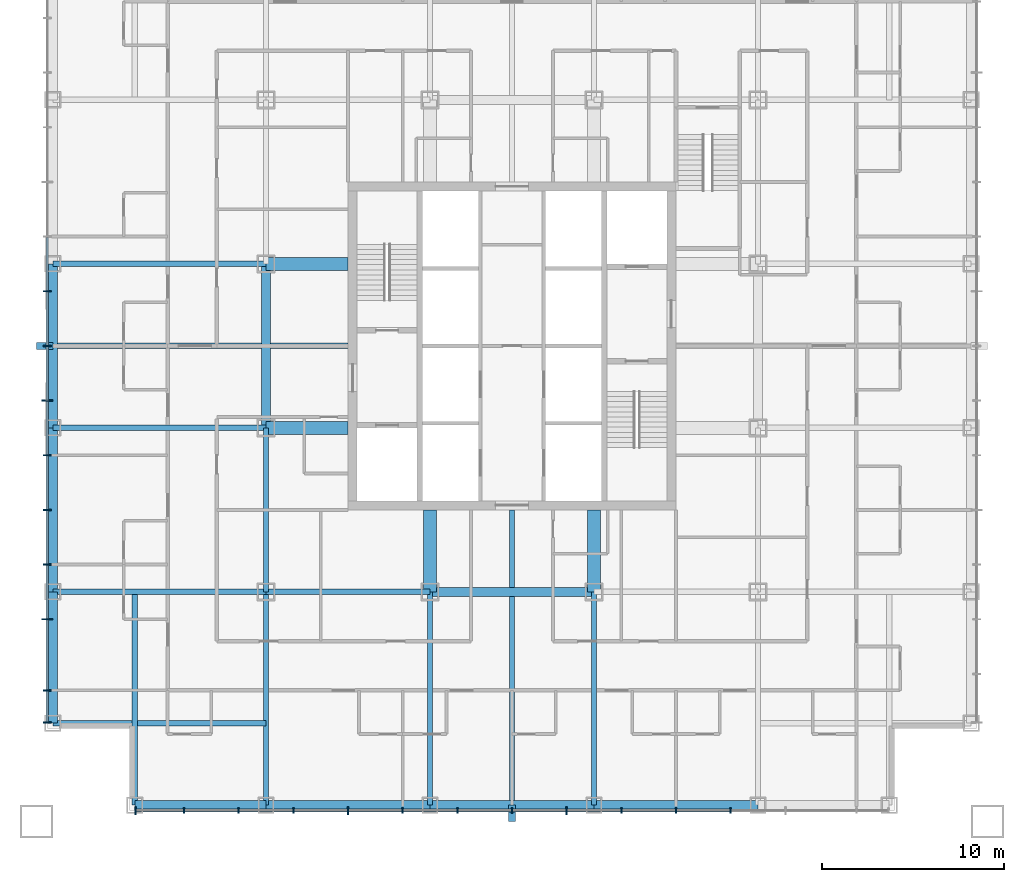
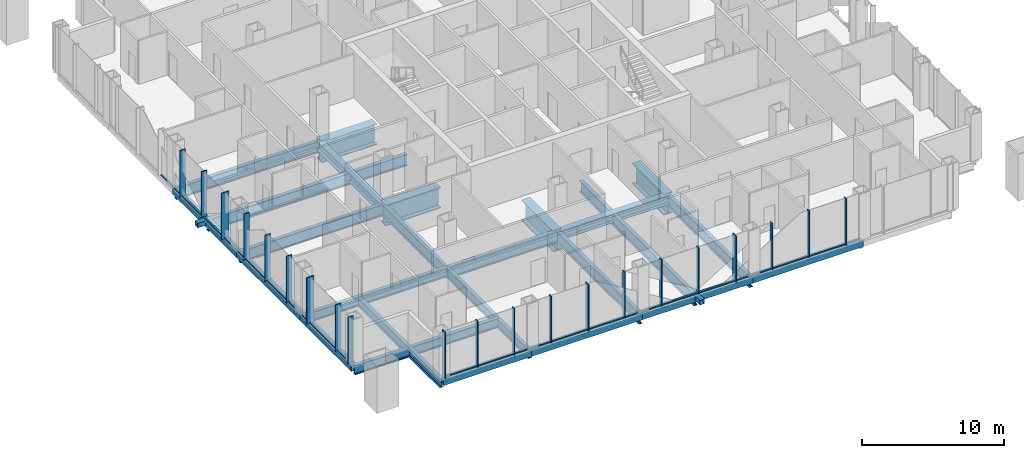
# One storey, part 2 of 13: 43 members, 25 beams, 2 elements without a shape of their own.
"""IFC4 building model written with IfcOpenShell, lengths in metres."""

from ifc_helpers import new_model, si_unit, direction, frame, origin, origin_2d, place, context, subcontext, project, spatial, rectangle, hollow_rectangle, i_section, extrude, material, layer, layer_set, material_profile, profile_set, type_object, element, aggregate, save


model = new_model("IFC4")

# Units and contexts
model_context = context("Model", 3, precision=1e-05, world=origin(), true_north=direction((0.0, 1.0)))
body_context = subcontext(model_context, "Body", "Model", "MODEL_VIEW")
ifc_project = project(units=[si_unit("LENGTHUNIT", "METRE"), si_unit("AREAUNIT", "SQUARE_METRE"), si_unit("VOLUMEUNIT", "CUBIC_METRE"), si_unit("PLANEANGLEUNIT", "RADIAN"), si_unit("MASSUNIT", "GRAM", prefix="KILO")], contexts=[model_context])

# Site, building, storey
site_placement = place(None, origin())
site = spatial("IfcSite", under=ifc_project, at=site_placement, CompositionType="ELEMENT")
building_placement = place(site_placement, origin())
building = spatial("IfcBuilding", under=site, at=building_placement, Name="Malebo Sky Hospital", CompositionType="ELEMENT")
storey_placement = place(building_placement, frame((0.0, 0.0, 79.0)))
storey = spatial("IfcBuildingStorey", under=building, at=storey_placement, Name="L18", CompositionType="ELEMENT", Elevation=79.0)

# Curtain wall, members
ifc_material_1 = material(Name="Anodised aluminium, natural silver", Category="aluminium")
ifc_layer_1 = layer(ifc_material_1, 0.25)
ifc_layer_set_1 = layer_set([ifc_layer_1], Name="WARD CURTAIN WALL EAST AND WEST")
curtain_wall_type_1 = type_object("IfcCurtainWallType", Name="WARD CURTAIN WALL EAST AND WEST", PredefinedType="NOTDEFINED", material=ifc_layer_set_1)
curtain_wall_1_placement = place(storey_placement, origin())
curtain_wall_1 = element("IfcCurtainWall", 1, at=curtain_wall_1_placement, inside=storey, type_object=curtain_wall_type_1, Name="EW curtain wall W", PredefinedType="NOTDEFINED")
ifc_material_profile_1 = material_profile(ifc_material_1, rectangle(XDim=0.14990234375, YDim=0.10009765625, at=origin_2d()), Name="ALUMINIUM TRANSOM 150x100")
ifc_profile_set_1 = profile_set([ifc_material_profile_1], Name="Anodised aluminium, natural silver")
member_type_1 = type_object("IfcMemberType", Name="ALUMINIUM TRANSOM 150x100", PredefinedType="USERDEFINED", material=ifc_profile_set_1)
member_1_placement = place(storey_placement, frame((34.5, 41.375, 0.050048828125), z_axis=(0.0, 1.0, 0.0), x_axis=(-1.0, 0.0, 0.0)))
member_1 = element("IfcMember", 2, at=member_1_placement, type_object=member_type_1, Name="Transom 1", ObjectType="TRANSOM", PredefinedType="USERDEFINED", context=body_context, shape_type="SweptSolid", body=[
    extrude(rectangle(XDim=0.14990234375, YDim=0.10009765625, at=origin_2d()), origin(), (0.0, 0.0, 1.0), 1.6875),
])
member_2_placement = place(storey_placement, frame((34.5, 43.137451171875, 0.050048828125), z_axis=(0.0, 1.0, 0.0), x_axis=(-1.0, 0.0, 0.0)))
member_2 = element("IfcMember", 3, at=member_2_placement, type_object=member_type_1, Name="Transom 2", ObjectType="TRANSOM", PredefinedType="USERDEFINED", context=body_context, shape_type="SweptSolid", body=[
    extrude(rectangle(XDim=0.14990234375, YDim=0.10009765625, at=origin_2d()), origin(), (0.0, 0.0, 1.0), 3.824951171875),
])
member_3_placement = place(storey_placement, frame((34.5, 47.03759765625, 0.050048828125), z_axis=(0.0, 1.0, 0.0), x_axis=(-1.0, 0.0, 0.0)))
member_3 = element("IfcMember", 4, at=member_3_placement, type_object=member_type_1, Name="Transom 3", ObjectType="TRANSOM", PredefinedType="USERDEFINED", context=body_context, shape_type="SweptSolid", body=[
    extrude(rectangle(XDim=0.14990234375, YDim=0.10009765625, at=origin_2d()), origin(), (0.0, 0.0, 1.0), 2.9248046875),
])
member_4_placement = place(storey_placement, frame((34.5, 50.03759765625, 0.050048828125), z_axis=(0.0, 1.0, 0.0), x_axis=(-1.0, 0.0, 0.0)))
member_4 = element("IfcMember", 5, at=member_4_placement, type_object=member_type_1, Name="Transom 4", ObjectType="TRANSOM", PredefinedType="USERDEFINED", context=body_context, shape_type="SweptSolid", body=[
    extrude(rectangle(XDim=0.14990234375, YDim=0.10009765625, at=origin_2d()), origin(), (0.0, 0.0, 1.0), 2.9248046875),
])
member_5_placement = place(storey_placement, frame((34.5, 53.03759765625, 0.050048828125), z_axis=(0.0, 1.0, 0.0), x_axis=(-1.0, 0.0, 0.0)))
member_5 = element("IfcMember", 6, at=member_5_placement, type_object=member_type_1, Name="Transom 5", ObjectType="TRANSOM", PredefinedType="USERDEFINED", context=body_context, shape_type="SweptSolid", body=[
    extrude(rectangle(XDim=0.14990234375, YDim=0.10009765625, at=origin_2d()), origin(), (0.0, 0.0, 1.0), 2.9248046875),
])
member_6_placement = place(storey_placement, frame((34.5, 56.03759765625, 0.050048828125), z_axis=(0.0, 1.0, 0.0), x_axis=(-1.0, 0.0, 0.0)))
member_6 = element("IfcMember", 7, at=member_6_placement, type_object=member_type_1, Name="Transom 6", ObjectType="TRANSOM", PredefinedType="USERDEFINED", context=body_context, shape_type="SweptSolid", body=[
    extrude(rectangle(XDim=0.14990234375, YDim=0.10009765625, at=origin_2d()), origin(), (0.0, 0.0, 1.0), 2.9248046875),
])
member_7_placement = place(storey_placement, frame((34.5, 59.03759765625, 0.050048828125), z_axis=(0.0, 1.0, 0.0), x_axis=(-1.0, 0.0, 0.0)))
member_7 = element("IfcMember", 8, at=member_7_placement, type_object=member_type_1, Name="Transom 7", ObjectType="TRANSOM", PredefinedType="USERDEFINED", context=body_context, shape_type="SweptSolid", body=[
    extrude(rectangle(XDim=0.14990234375, YDim=0.10009765625, at=origin_2d()), origin(), (0.0, 0.0, 1.0), 2.9248046875),
])
member_8_placement = place(storey_placement, frame((34.5, 62.03759765625, 0.050048828125), z_axis=(0.0, 1.0, 0.0), x_axis=(-1.0, 0.0, 0.0)))
member_8 = element("IfcMember", 9, at=member_8_placement, type_object=member_type_1, Name="Transom 8", ObjectType="TRANSOM", PredefinedType="USERDEFINED", context=body_context, shape_type="SweptSolid", body=[
    extrude(rectangle(XDim=0.14990234375, YDim=0.10009765625, at=origin_2d()), origin(), (0.0, 0.0, 1.0), 2.9248046875),
])
member_9_placement = place(storey_placement, frame((34.5, 65.03759765625, 0.050048828125), z_axis=(0.0, 1.0, 0.0), x_axis=(-1.0, 0.0, 0.0)))
member_9 = element("IfcMember", 10, at=member_9_placement, type_object=member_type_1, Name="Transom 9", ObjectType="TRANSOM", PredefinedType="USERDEFINED", context=body_context, shape_type="SweptSolid", body=[
    extrude(rectangle(XDim=0.14990234375, YDim=0.10009765625, at=origin_2d()), origin(), (0.0, 0.0, 1.0), 2.9248046875),
])

ifc_layer_2 = layer(ifc_material_1, 0.25)
ifc_layer_set_2 = layer_set([ifc_layer_2], Name="WARD CURTAIN WALL NORTH AND SOUTH")
curtain_wall_type_2 = type_object("IfcCurtainWallType", Name="WARD CURTAIN WALL NORTH AND SOUTH", PredefinedType="NOTDEFINED", material=ifc_layer_set_2)
curtain_wall_2_placement = place(storey_placement, origin())
curtain_wall_2 = element("IfcCurtainWall", 11, at=curtain_wall_2_placement, inside=storey, type_object=curtain_wall_type_2, Name="NS curtain wall S", PredefinedType="NOTDEFINED")
member_10_placement = place(storey_placement, frame((71.96240234375, 36.5, 0.050048828125), z_axis=(-1.0, 0.0, 0.0), x_axis=(0.0, -1.0, 0.0)))
member_10 = element("IfcMember", 12, at=member_10_placement, type_object=member_type_1, Name="Transom 4", ObjectType="TRANSOM", PredefinedType="USERDEFINED", context=body_context, shape_type="SweptSolid", body=[
    extrude(rectangle(XDim=0.14990234375, YDim=0.10009765625, at=origin_2d()), origin(), (0.0, 0.0, 1.0), 2.9248046875),
])
member_11_placement = place(storey_placement, frame((68.96240234375, 36.5, 0.050048828125), z_axis=(-1.0, 0.0, 0.0), x_axis=(0.0, -1.0, 0.0)))
member_11 = element("IfcMember", 13, at=member_11_placement, type_object=member_type_1, Name="Transom 5", ObjectType="TRANSOM", PredefinedType="USERDEFINED", context=body_context, shape_type="SweptSolid", body=[
    extrude(rectangle(XDim=0.14990234375, YDim=0.10009765625, at=origin_2d()), origin(), (0.0, 0.0, 1.0), 2.9248046875),
])
member_12_placement = place(storey_placement, frame((65.96240234375, 36.5, 0.050048828125), z_axis=(-1.0, 0.0, 0.0), x_axis=(0.0, -1.0, 0.0)))
member_12 = element("IfcMember", 14, at=member_12_placement, type_object=member_type_1, Name="Transom 6", ObjectType="TRANSOM", PredefinedType="USERDEFINED", context=body_context, shape_type="SweptSolid", body=[
    extrude(rectangle(XDim=0.14990234375, YDim=0.10009765625, at=origin_2d()), origin(), (0.0, 0.0, 1.0), 2.9248046875),
])
member_13_placement = place(storey_placement, frame((62.96240234375, 36.5, 0.050048828125), z_axis=(-1.0, 0.0, 0.0), x_axis=(0.0, -1.0, 0.0)))
member_13 = element("IfcMember", 15, at=member_13_placement, type_object=member_type_1, Name="Transom 7", ObjectType="TRANSOM", PredefinedType="USERDEFINED", context=body_context, shape_type="SweptSolid", body=[
    extrude(rectangle(XDim=0.14990234375, YDim=0.10009765625, at=origin_2d()), origin(), (0.0, 0.0, 1.0), 2.9248046875),
])
member_14_placement = place(storey_placement, frame((59.96240234375, 36.5, 0.050048828125), z_axis=(-1.0, 0.0, 0.0), x_axis=(0.0, -1.0, 0.0)))
member_14 = element("IfcMember", 16, at=member_14_placement, type_object=member_type_1, Name="Transom 8", ObjectType="TRANSOM", PredefinedType="USERDEFINED", context=body_context, shape_type="SweptSolid", body=[
    extrude(rectangle(XDim=0.14990234375, YDim=0.10009765625, at=origin_2d()), origin(), (0.0, 0.0, 1.0), 2.9248046875),
])
member_15_placement = place(storey_placement, frame((56.96240234375, 36.5, 0.050048828125), z_axis=(-1.0, 0.0, 0.0), x_axis=(0.0, -1.0, 0.0)))
member_15 = element("IfcMember", 17, at=member_15_placement, type_object=member_type_1, Name="Transom 9", ObjectType="TRANSOM", PredefinedType="USERDEFINED", context=body_context, shape_type="SweptSolid", body=[
    extrude(rectangle(XDim=0.14990234375, YDim=0.10009765625, at=origin_2d()), origin(), (0.0, 0.0, 1.0), 2.9248046875),
])
member_16_placement = place(storey_placement, frame((53.96240234375, 36.5, 0.050048828125), z_axis=(-1.0, 0.0, 0.0), x_axis=(0.0, -1.0, 0.0)))
member_16 = element("IfcMember", 18, at=member_16_placement, type_object=member_type_1, Name="Transom 10", ObjectType="TRANSOM", PredefinedType="USERDEFINED", context=body_context, shape_type="SweptSolid", body=[
    extrude(rectangle(XDim=0.14990234375, YDim=0.10009765625, at=origin_2d()), origin(), (0.0, 0.0, 1.0), 2.9248046875),
])
member_17_placement = place(storey_placement, frame((50.96240234375, 36.5, 0.050048828125), z_axis=(-1.0, 0.0, 0.0), x_axis=(0.0, -1.0, 0.0)))
member_17 = element("IfcMember", 19, at=member_17_placement, type_object=member_type_1, Name="Transom 11", ObjectType="TRANSOM", PredefinedType="USERDEFINED", context=body_context, shape_type="SweptSolid", body=[
    extrude(rectangle(XDim=0.14990234375, YDim=0.10009765625, at=origin_2d()), origin(), (0.0, 0.0, 1.0), 2.9248046875),
])
member_18_placement = place(storey_placement, frame((47.96240234375, 36.5, 0.050048828125), z_axis=(-1.0, 0.0, 0.0), x_axis=(0.0, -1.0, 0.0)))
member_18 = element("IfcMember", 20, at=member_18_placement, type_object=member_type_1, Name="Transom 12", ObjectType="TRANSOM", PredefinedType="USERDEFINED", context=body_context, shape_type="SweptSolid", body=[
    extrude(rectangle(XDim=0.14990234375, YDim=0.10009765625, at=origin_2d()), origin(), (0.0, 0.0, 1.0), 2.9248046875),
])
member_19_placement = place(storey_placement, frame((44.96240234375, 36.5, 0.050048828125), z_axis=(-1.0, 0.0, 0.0), x_axis=(0.0, -1.0, 0.0)))
member_19 = element("IfcMember", 21, at=member_19_placement, type_object=member_type_1, Name="Transom 13", ObjectType="TRANSOM", PredefinedType="USERDEFINED", context=body_context, shape_type="SweptSolid", body=[
    extrude(rectangle(XDim=0.14990234375, YDim=0.10009765625, at=origin_2d()), origin(), (0.0, 0.0, 1.0), 2.9248046875),
])
member_20_placement = place(storey_placement, frame((41.96240234375, 36.5, 0.050048828125), z_axis=(-1.0, 0.0, 0.0), x_axis=(0.0, -1.0, 0.0)))
member_20 = element("IfcMember", 22, at=member_20_placement, type_object=member_type_1, Name="Transom 14", ObjectType="TRANSOM", PredefinedType="USERDEFINED", context=body_context, shape_type="SweptSolid", body=[
    extrude(rectangle(XDim=0.14990234375, YDim=0.10009765625, at=origin_2d()), origin(), (0.0, 0.0, 1.0), 2.58740234375),
])

# Members
ifc_material_2 = material(Name="Steel S355", Category="steel")
ifc_material_profile_2 = material_profile(ifc_material_2, hollow_rectangle(XDim=0.39990234375, YDim=0.39990234375, WallThickness=0.02001953125, at=origin_2d()), Name="SHS 400x20")
ifc_profile_set_2 = profile_set([ifc_material_profile_2], Name="Steel S355")
member_type_2 = type_object("IfcMemberType", Name="BRACE STRUT SHS 400x20", PredefinedType="STRUT", material=ifc_profile_set_2)
for number, where, z_axis, x_axis, name in (
    (23, (60.0, 35.89990234375, -0.39990234375), (0.0, 1.0, 0.0), (-1.0, 0.0, 0.0), "Brace strut AS1 L18"),
    (24, (33.89990234375, 62.0, -0.39990234375), (1.0, 0.0, 0.0), (0.0, 1.0, 0.0), "Brace strut AW1 L18"),
):
    element("IfcMember", number, at=place(storey_placement, frame(where, z_axis=z_axis, x_axis=x_axis)), inside=storey, type_object=member_type_2, Name=name, PredefinedType="STRUT", context=body_context, shape_type="SweptSolid", body=[
        extrude(hollow_rectangle(XDim=0.39990234375, YDim=0.39990234375, WallThickness=0.02001953125, at=origin_2d()), origin(), (0.0, 0.0, 1.0), 0.900146484375),
    ])

# Member
ifc_material_profile_3 = material_profile(ifc_material_1, rectangle(XDim=0.074951171875, YDim=0.300048828125, at=origin_2d()), Name="CW1 ALUMINIUM FIN MULLION 75x300")
ifc_profile_set_3 = profile_set([ifc_material_profile_3], Name="Anodised aluminium, natural silver")
member_type_3 = type_object("IfcMemberType", Name="CW1 ALUMINIUM FIN MULLION 75x300", PredefinedType="MULLION", material=ifc_profile_set_3)
member_21_placement = place(storey_placement, frame((72.0, 36.5, 0.0), z_axis=(0.0, 0.0, 1.0), x_axis=(-1.0, 0.0, 0.0)))
member_21 = element("IfcMember", 25, at=member_21_placement, type_object=member_type_3, Name="Fin mullion 4", PredefinedType="MULLION", context=body_context, shape_type="SweptSolid", body=[
    extrude(rectangle(XDim=0.074951171875, YDim=0.300048828125, at=origin_2d()), origin(), (0.0, 0.0, 1.0), 4.0),
])

member_22_placement = place(storey_placement, frame((69.0, 36.5, 0.0), z_axis=(0.0, 0.0, 1.0), x_axis=(-1.0, 0.0, 0.0)))
member_22 = element("IfcMember", 26, at=member_22_placement, type_object=member_type_3, Name="Fin mullion 5", PredefinedType="MULLION", context=body_context, shape_type="SweptSolid", body=[
    extrude(rectangle(XDim=0.074951171875, YDim=0.300048828125, at=origin_2d()), origin(), (0.0, 0.0, 1.0), 4.0),
])

member_23_placement = place(storey_placement, frame((66.0, 36.5, 0.0), z_axis=(0.0, 0.0, 1.0), x_axis=(-1.0, 0.0, 0.0)))
member_23 = element("IfcMember", 27, at=member_23_placement, type_object=member_type_3, Name="Fin mullion 6", PredefinedType="MULLION", context=body_context, shape_type="SweptSolid", body=[
    extrude(rectangle(XDim=0.074951171875, YDim=0.300048828125, at=origin_2d()), origin(), (0.0, 0.0, 1.0), 4.0),
])

member_24_placement = place(storey_placement, frame((60.0, 36.5, 0.0), z_axis=(0.0, 0.0, 1.0), x_axis=(-1.0, 0.0, 0.0)))
member_24 = element("IfcMember", 28, at=member_24_placement, type_object=member_type_3, Name="Fin mullion 8", PredefinedType="MULLION", context=body_context, shape_type="SweptSolid", body=[
    extrude(rectangle(XDim=0.074951171875, YDim=0.300048828125, at=origin_2d()), origin(), (0.0, 0.0, 1.0), 4.0),
])

member_25_placement = place(storey_placement, frame((57.0, 36.5, 0.0), z_axis=(0.0, 0.0, 1.0), x_axis=(-1.0, 0.0, 0.0)))
member_25 = element("IfcMember", 29, at=member_25_placement, type_object=member_type_3, Name="Fin mullion 9", PredefinedType="MULLION", context=body_context, shape_type="SweptSolid", body=[
    extrude(rectangle(XDim=0.074951171875, YDim=0.300048828125, at=origin_2d()), origin(), (0.0, 0.0, 1.0), 4.0),
])

member_26_placement = place(storey_placement, frame((54.0, 36.5, 0.0), z_axis=(0.0, 0.0, 1.0), x_axis=(-1.0, 0.0, 0.0)))
member_26 = element("IfcMember", 30, at=member_26_placement, type_object=member_type_3, Name="Fin mullion 10", PredefinedType="MULLION", context=body_context, shape_type="SweptSolid", body=[
    extrude(rectangle(XDim=0.074951171875, YDim=0.300048828125, at=origin_2d()), origin(), (0.0, 0.0, 1.0), 4.0),
])

member_27_placement = place(storey_placement, frame((48.0, 36.5, 0.0), z_axis=(0.0, 0.0, 1.0), x_axis=(-1.0, 0.0, 0.0)))
member_27 = element("IfcMember", 31, at=member_27_placement, type_object=member_type_3, Name="Fin mullion 12", PredefinedType="MULLION", context=body_context, shape_type="SweptSolid", body=[
    extrude(rectangle(XDim=0.074951171875, YDim=0.300048828125, at=origin_2d()), origin(), (0.0, 0.0, 1.0), 4.0),
])

member_28_placement = place(storey_placement, frame((45.0, 36.5, 0.0), z_axis=(0.0, 0.0, 1.0), x_axis=(-1.0, 0.0, 0.0)))
member_28 = element("IfcMember", 32, at=member_28_placement, type_object=member_type_3, Name="Fin mullion 13", PredefinedType="MULLION", context=body_context, shape_type="SweptSolid", body=[
    extrude(rectangle(XDim=0.074951171875, YDim=0.300048828125, at=origin_2d()), origin(), (0.0, 0.0, 1.0), 4.0),
])

member_29_placement = place(storey_placement, frame((42.0, 36.5, 0.0), z_axis=(0.0, 0.0, 1.0), x_axis=(-1.0, 0.0, 0.0)))
member_29 = element("IfcMember", 33, at=member_29_placement, type_object=member_type_3, Name="Fin mullion 14", PredefinedType="MULLION", context=body_context, shape_type="SweptSolid", body=[
    extrude(rectangle(XDim=0.074951171875, YDim=0.300048828125, at=origin_2d()), origin(), (0.0, 0.0, 1.0), 4.0),
])

ifc_material_profile_4 = material_profile(ifc_material_1, rectangle(XDim=0.074951171875, YDim=0.449951171875, at=origin_2d()), Name="CW1 ALUMINIUM FIN MULLION 75x450")
ifc_profile_set_4 = profile_set([ifc_material_profile_4], Name="Anodised aluminium, natural silver")
member_type_4 = type_object("IfcMemberType", Name="CW1 ALUMINIUM FIN MULLION 75x450", PredefinedType="MULLION", material=ifc_profile_set_4)
member_30_placement = place(storey_placement, frame((63.0, 36.5, 0.0), z_axis=(0.0, 0.0, 1.0), x_axis=(-1.0, 0.0, 0.0)))
member_30 = element("IfcMember", 34, at=member_30_placement, type_object=member_type_4, Name="Fin mullion 7", PredefinedType="MULLION", context=body_context, shape_type="SweptSolid", body=[
    extrude(rectangle(XDim=0.074951171875, YDim=0.449951171875, at=origin_2d()), origin(), (0.0, 0.0, 1.0), 4.0),
])

member_31_placement = place(storey_placement, frame((51.0, 36.5, 0.0), z_axis=(0.0, 0.0, 1.0), x_axis=(-1.0, 0.0, 0.0)))
member_31 = element("IfcMember", 35, at=member_31_placement, type_object=member_type_4, Name="Fin mullion 11", PredefinedType="MULLION", context=body_context, shape_type="SweptSolid", body=[
    extrude(rectangle(XDim=0.074951171875, YDim=0.449951171875, at=origin_2d()), origin(), (0.0, 0.0, 1.0), 4.0),
])

member_32_placement = place(storey_placement, frame((39.33740234375, 36.5, 0.0), z_axis=(0.0, 0.0, 1.0), x_axis=(-1.0, 0.0, 0.0)))
member_32 = element("IfcMember", 36, at=member_32_placement, type_object=member_type_4, Name="Fin mullion 15", PredefinedType="MULLION", context=body_context, shape_type="SweptSolid", body=[
    extrude(rectangle(XDim=0.074951171875, YDim=0.449951171875, at=origin_2d()), origin(), (0.0, 0.0, 1.0), 4.0),
])

aggregate(curtain_wall_2, [member_21, member_22, member_23, member_30, member_24, member_25, member_26, member_31, member_27, member_28, member_29, member_32, member_10, member_11, member_12, member_13, member_14, member_15, member_16, member_17, member_18, member_19, member_20])

ifc_material_profile_5 = material_profile(ifc_material_1, rectangle(XDim=0.074951171875, YDim=0.449951171875, at=origin_2d()), Name="CW2 ALUMINIUM FIN MULLION 75x450")
ifc_profile_set_5 = profile_set([ifc_material_profile_5], Name="Anodised aluminium, natural silver")
member_type_5 = type_object("IfcMemberType", Name="CW2 ALUMINIUM FIN MULLION 75x450", PredefinedType="MULLION", material=ifc_profile_set_5)
member_33_placement = place(storey_placement, frame((34.5, 41.33740234375, 0.0), z_axis=(0.0, 0.0, 1.0), x_axis=(0.0, 1.0, 0.0)))
member_33 = element("IfcMember", 37, at=member_33_placement, type_object=member_type_5, Name="Fin mullion 1", PredefinedType="MULLION", context=body_context, shape_type="SweptSolid", body=[
    extrude(rectangle(XDim=0.074951171875, YDim=0.449951171875, at=origin_2d()), origin(), (0.0, 0.0, 1.0), 4.0),
])

member_34_placement = place(storey_placement, frame((34.5, 43.10009765625, 0.0), z_axis=(0.0, 0.0, 1.0), x_axis=(0.0, 1.0, 0.0)))
member_34 = element("IfcMember", 38, at=member_34_placement, type_object=member_type_5, Name="Fin mullion 2", PredefinedType="MULLION", context=body_context, shape_type="SweptSolid", body=[
    extrude(rectangle(XDim=0.074951171875, YDim=0.449951171875, at=origin_2d()), origin(), (0.0, 0.0, 1.0), 4.0),
])

member_35_placement = place(storey_placement, frame((34.5, 50.0, 0.0), z_axis=(0.0, 0.0, 1.0), x_axis=(0.0, 1.0, 0.0)))
member_35 = element("IfcMember", 39, at=member_35_placement, type_object=member_type_5, Name="Fin mullion 4", PredefinedType="MULLION", context=body_context, shape_type="SweptSolid", body=[
    extrude(rectangle(XDim=0.074951171875, YDim=0.449951171875, at=origin_2d()), origin(), (0.0, 0.0, 1.0), 4.0),
])

member_36_placement = place(storey_placement, frame((34.5, 53.0, 0.0), z_axis=(0.0, 0.0, 1.0), x_axis=(0.0, 1.0, 0.0)))
member_36 = element("IfcMember", 40, at=member_36_placement, type_object=member_type_5, Name="Fin mullion 5", PredefinedType="MULLION", context=body_context, shape_type="SweptSolid", body=[
    extrude(rectangle(XDim=0.074951171875, YDim=0.449951171875, at=origin_2d()), origin(), (0.0, 0.0, 1.0), 4.0),
])

member_37_placement = place(storey_placement, frame((34.5, 56.0, 0.0), z_axis=(0.0, 0.0, 1.0), x_axis=(0.0, 1.0, 0.0)))
member_37 = element("IfcMember", 41, at=member_37_placement, type_object=member_type_5, Name="Fin mullion 6", PredefinedType="MULLION", context=body_context, shape_type="SweptSolid", body=[
    extrude(rectangle(XDim=0.074951171875, YDim=0.449951171875, at=origin_2d()), origin(), (0.0, 0.0, 1.0), 4.0),
])

member_38_placement = place(storey_placement, frame((34.5, 62.0, 0.0), z_axis=(0.0, 0.0, 1.0), x_axis=(0.0, 1.0, 0.0)))
member_38 = element("IfcMember", 42, at=member_38_placement, type_object=member_type_5, Name="Fin mullion 8", PredefinedType="MULLION", context=body_context, shape_type="SweptSolid", body=[
    extrude(rectangle(XDim=0.074951171875, YDim=0.449951171875, at=origin_2d()), origin(), (0.0, 0.0, 1.0), 4.0),
])

member_39_placement = place(storey_placement, frame((34.5, 65.0, 0.0), z_axis=(0.0, 0.0, 1.0), x_axis=(0.0, 1.0, 0.0)))
member_39 = element("IfcMember", 43, at=member_39_placement, type_object=member_type_5, Name="Fin mullion 9", PredefinedType="MULLION", context=body_context, shape_type="SweptSolid", body=[
    extrude(rectangle(XDim=0.074951171875, YDim=0.449951171875, at=origin_2d()), origin(), (0.0, 0.0, 1.0), 4.0),
])

ifc_material_profile_6 = material_profile(ifc_material_1, rectangle(XDim=0.074951171875, YDim=0.60009765625, at=origin_2d()), Name="CW2 ALUMINIUM FIN MULLION 75x600")
ifc_profile_set_6 = profile_set([ifc_material_profile_6], Name="Anodised aluminium, natural silver")
member_type_6 = type_object("IfcMemberType", Name="CW2 ALUMINIUM FIN MULLION 75x600", PredefinedType="MULLION", material=ifc_profile_set_6)
member_40_placement = place(storey_placement, frame((34.5, 47.0, 0.0), z_axis=(0.0, 0.0, 1.0), x_axis=(0.0, 1.0, 0.0)))
member_40 = element("IfcMember", 44, at=member_40_placement, type_object=member_type_6, Name="Fin mullion 3", PredefinedType="MULLION", context=body_context, shape_type="SweptSolid", body=[
    extrude(rectangle(XDim=0.074951171875, YDim=0.60009765625, at=origin_2d()), origin(), (0.0, 0.0, 1.0), 4.0),
])

member_41_placement = place(storey_placement, frame((34.5, 59.0, 0.0), z_axis=(0.0, 0.0, 1.0), x_axis=(0.0, 1.0, 0.0)))
member_41 = element("IfcMember", 45, at=member_41_placement, type_object=member_type_6, Name="Fin mullion 7", PredefinedType="MULLION", context=body_context, shape_type="SweptSolid", body=[
    extrude(rectangle(XDim=0.074951171875, YDim=0.60009765625, at=origin_2d()), origin(), (0.0, 0.0, 1.0), 4.0),
])

aggregate(curtain_wall_1, [member_33, member_34, member_40, member_35, member_36, member_37, member_41, member_38, member_39, member_1, member_2, member_3, member_4, member_5, member_6, member_7, member_8, member_9])

# Beams
ifc_material_3 = material(Name="Steel S460", Category="steel")
ifc_material_profile_7 = material_profile(ifc_material_3, hollow_rectangle(XDim=0.5, YDim=0.5, WallThickness=0.030029296875, at=origin_2d()), Name="BOX 500x500x30")
ifc_profile_set_7 = profile_set([ifc_material_profile_7], Name="Steel S460")
beam_type_1 = type_object("IfcBeamType", Name="EDGE BEAM BOX 500x500x30", PredefinedType="BEAM", material=ifc_profile_set_7)
beam_1_placement = place(storey_placement, frame((34.800048828125, 41.300048828125, -0.5), z_axis=(0.0, 1.0, 0.0), x_axis=(-1.0, 0.0, 0.0)))
element("IfcBeam", 46, at=beam_1_placement, inside=storey, type_object=beam_type_1, Name="Beam 000 L18", PredefinedType="BEAM", context=body_context, shape_type="SweptSolid", body=[
    extrude(hollow_rectangle(XDim=0.5, YDim=0.5, WallThickness=0.030029296875, at=origin_2d()), origin(), (0.0, 0.0, 1.0), 7.199951171875),
])
for number, where, z_axis, x_axis, name in (
    (47, (34.800048828125, 48.5, -0.5), (0.0, 1.0, 0.0), (-1.0, 0.0, 0.0), "Beam 001 L18"),
    (48, (34.800048828125, 57.5, -0.5), (0.0, 1.0, 0.0), (-1.0, 0.0, 0.0), "Beam 002 L18"),
):
    element("IfcBeam", number, at=place(storey_placement, frame(where, z_axis=z_axis, x_axis=x_axis)), inside=storey, type_object=beam_type_1, Name=name, PredefinedType="BEAM", context=body_context, shape_type="SweptSolid", body=[
        extrude(hollow_rectangle(XDim=0.5, YDim=0.5, WallThickness=0.030029296875, at=origin_2d()), origin(), (0.0, 0.0, 1.0), 9.0),
    ])
beam_2_placement = place(storey_placement, frame((39.300048828125, 36.800048828125, -0.5), z_axis=(1.0, 0.0, 0.0), x_axis=(0.0, 1.0, 0.0)))
element("IfcBeam", 49, at=beam_2_placement, inside=storey, type_object=beam_type_1, Name="Beam 034 L18", PredefinedType="BEAM", context=body_context, shape_type="SweptSolid", body=[
    extrude(hollow_rectangle(XDim=0.5, YDim=0.5, WallThickness=0.030029296875, at=origin_2d()), origin(), (0.0, 0.0, 1.0), 7.199951171875),
])
for number, where, z_axis, x_axis, name in (
    (50, (46.5, 36.800048828125, -0.5), (1.0, 0.0, 0.0), (0.0, 1.0, 0.0), "Beam 035 L18"),
    (51, (55.5, 36.800048828125, -0.5), (1.0, 0.0, 0.0), (0.0, 1.0, 0.0), "Beam 036 L18"),
    (52, (64.5, 36.800048828125, -0.5), (1.0, 0.0, 0.0), (0.0, 1.0, 0.0), "Beam 037 L18"),
):
    element("IfcBeam", number, at=place(storey_placement, frame(where, z_axis=z_axis, x_axis=x_axis)), inside=storey, type_object=beam_type_1, Name=name, PredefinedType="BEAM", context=body_context, shape_type="SweptSolid", body=[
        extrude(hollow_rectangle(XDim=0.5, YDim=0.5, WallThickness=0.030029296875, at=origin_2d()), origin(), (0.0, 0.0, 1.0), 9.0),
    ])
ifc_material_profile_8 = material_profile(ifc_material_2, i_section(OverallWidth=0.300048828125, OverallDepth=1.0, WebThickness=0.01904296875, FlangeThickness=0.035888671875, FilletRadius=0.030029296875, at=origin_2d()), Name="HEB 1000")
ifc_profile_set_8 = profile_set([ifc_material_profile_8], Name="Steel S355")
beam_type_2 = type_object("IfcBeamType", Name="FLOOR BEAM HEB 1000", PredefinedType="BEAM", material=ifc_profile_set_8)
beam_3_placement = place(storey_placement, frame((46.5, 48.5, -0.75), z_axis=(0.0, 1.0, 0.0), x_axis=(-1.0, 0.0, 0.0)))
element("IfcBeam", 53, at=beam_3_placement, inside=storey, type_object=beam_type_2, Name="Beam 008 L18", PredefinedType="BEAM", context=body_context, shape_type="SweptSolid", body=[
    extrude(i_section(OverallWidth=0.300048828125, OverallDepth=1.0, WebThickness=0.01904296875, FlangeThickness=0.035888671875, FilletRadius=0.030029296875, at=origin_2d()), origin(), (0.0, 0.0, 1.0), 9.0),
])
beam_4_placement = place(storey_placement, frame((55.5, 36.800048828125, -0.75), z_axis=(0.0, 1.0, 0.0), x_axis=(-1.0, 0.0, 0.0)))
element("IfcBeam", 54, at=beam_4_placement, inside=storey, type_object=beam_type_2, Name="Beam 012 L18", PredefinedType="BEAM", context=body_context, shape_type="SweptSolid", body=[
    extrude(i_section(OverallWidth=0.300048828125, OverallDepth=1.0, WebThickness=0.01904296875, FlangeThickness=0.035888671875, FilletRadius=0.030029296875, at=origin_2d()), origin(), (0.0, 0.0, 1.0), 11.699951171875),
])
beam_5_placement = place(storey_placement, frame((60.0, 36.800048828125, -0.75), z_axis=(0.0, 1.0, 0.0), x_axis=(-1.0, 0.0, 0.0)))
element("IfcBeam", 55, at=beam_5_placement, inside=storey, type_object=beam_type_2, Name="Beam 016 L18", PredefinedType="BEAM", context=body_context, shape_type="SweptSolid", body=[
    extrude(i_section(OverallWidth=0.300048828125, OverallDepth=1.0, WebThickness=0.01904296875, FlangeThickness=0.035888671875, FilletRadius=0.030029296875, at=origin_2d()), origin(), (0.0, 0.0, 1.0), 16.199951171875),
])
beam_6_placement = place(storey_placement, frame((64.5, 36.800048828125, -0.75), z_axis=(0.0, 1.0, 0.0), x_axis=(-1.0, 0.0, 0.0)))
element("IfcBeam", 56, at=beam_6_placement, inside=storey, type_object=beam_type_2, Name="Beam 018 L18", PredefinedType="BEAM", context=body_context, shape_type="SweptSolid", body=[
    extrude(i_section(OverallWidth=0.300048828125, OverallDepth=1.0, WebThickness=0.01904296875, FlangeThickness=0.035888671875, FilletRadius=0.030029296875, at=origin_2d()), origin(), (0.0, 0.0, 1.0), 11.699951171875),
])
beam_7_placement = place(storey_placement, frame((46.5, 48.5, -0.75), z_axis=(1.0, 0.0, 0.0), x_axis=(0.0, 1.0, 0.0)))
element("IfcBeam", 57, at=beam_7_placement, inside=storey, type_object=beam_type_2, Name="Beam 042 L18", PredefinedType="BEAM", context=body_context, shape_type="SweptSolid", body=[
    extrude(i_section(OverallWidth=0.300048828125, OverallDepth=1.0, WebThickness=0.01904296875, FlangeThickness=0.035888671875, FilletRadius=0.030029296875, at=origin_2d()), origin(), (0.0, 0.0, 1.0), 9.0),
])
beam_8_placement = place(storey_placement, frame((34.800048828125, 57.5, -0.75), z_axis=(1.0, 0.0, 0.0), x_axis=(0.0, 1.0, 0.0)))
element("IfcBeam", 58, at=beam_8_placement, inside=storey, type_object=beam_type_2, Name="Beam 046 L18", PredefinedType="BEAM", context=body_context, shape_type="SweptSolid", body=[
    extrude(i_section(OverallWidth=0.300048828125, OverallDepth=1.0, WebThickness=0.01904296875, FlangeThickness=0.035888671875, FilletRadius=0.030029296875, at=origin_2d()), origin(), (0.0, 0.0, 1.0), 11.699951171875),
])
beam_9_placement = place(storey_placement, frame((34.800048828125, 62.0, -0.75), z_axis=(1.0, 0.0, 0.0), x_axis=(0.0, 1.0, 0.0)))
element("IfcBeam", 59, at=beam_9_placement, inside=storey, type_object=beam_type_2, Name="Beam 050 L18", PredefinedType="BEAM", context=body_context, shape_type="SweptSolid", body=[
    extrude(i_section(OverallWidth=0.300048828125, OverallDepth=1.0, WebThickness=0.01904296875, FlangeThickness=0.035888671875, FilletRadius=0.030029296875, at=origin_2d()), origin(), (0.0, 0.0, 1.0), 16.199951171875),
])
beam_10_placement = place(storey_placement, frame((34.800048828125, 66.5, -0.75), z_axis=(1.0, 0.0, 0.0), x_axis=(0.0, 1.0, 0.0)))
element("IfcBeam", 60, at=beam_10_placement, inside=storey, type_object=beam_type_2, Name="Beam 052 L18", PredefinedType="BEAM", context=body_context, shape_type="SweptSolid", body=[
    extrude(i_section(OverallWidth=0.300048828125, OverallDepth=1.0, WebThickness=0.01904296875, FlangeThickness=0.035888671875, FilletRadius=0.030029296875, at=origin_2d()), origin(), (0.0, 0.0, 1.0), 11.699951171875),
])
ifc_material_profile_9 = material_profile(ifc_material_2, i_section(OverallWidth=0.300048828125, OverallDepth=0.800048828125, WebThickness=0.017578125, FlangeThickness=0.032958984375, FilletRadius=0.030029296875, at=origin_2d()), Name="HEB 800")
ifc_profile_set_9 = profile_set([ifc_material_profile_9], Name="Steel S355")
beam_type_3 = type_object("IfcBeamType", Name="FLOOR BEAM HEB 800", PredefinedType="BEAM", material=ifc_profile_set_9)
for number, where, z_axis, x_axis, name in (
    (61, (39.300048828125, 36.800048828125, -0.64990234375), (0.0, 1.0, 0.0), (-1.0, 0.0, 0.0), "Beam 005 L18"),
    (62, (34.800048828125, 41.300048828125, -0.64990234375), (1.0, 0.0, 0.0), (0.0, 1.0, 0.0), "Beam 039 L18"),
):
    element("IfcBeam", number, at=place(storey_placement, frame(where, z_axis=z_axis, x_axis=x_axis)), inside=storey, type_object=beam_type_3, Name=name, PredefinedType="BEAM", context=body_context, shape_type="SweptSolid", body=[
        extrude(i_section(OverallWidth=0.300048828125, OverallDepth=0.800048828125, WebThickness=0.017578125, FlangeThickness=0.032958984375, FilletRadius=0.030029296875, at=origin_2d()), origin(), (0.0, 0.0, 1.0), 11.699951171875),
    ])
ifc_material_profile_10 = material_profile(ifc_material_2, i_section(OverallWidth=0.699951171875, OverallDepth=1.800048828125, WebThickness=0.034912109375, FlangeThickness=0.070068359375, at=origin_2d()), Name="PG 1800x700x35x70")
ifc_profile_set_10 = profile_set([ifc_material_profile_10], Name="Steel S355")
beam_type_4 = type_object("IfcBeamType", Name="FLOOR BEAM PG 1800x700x35x70", PredefinedType="BEAM", material=ifc_profile_set_10)
for number, where, z_axis, x_axis, name in (
    (63, (55.5, 48.5, -1.14990234375), (0.0, 1.0, 0.0), (-1.0, 0.0, 0.0), "Beam 013 L18"),
    (64, (64.5, 48.5, -1.14990234375), (0.0, 1.0, 0.0), (-1.0, 0.0, 0.0), "Beam 019 L18"),
    (65, (46.5, 57.5, -1.14990234375), (1.0, 0.0, 0.0), (0.0, 1.0, 0.0), "Beam 047 L18"),
    (66, (46.5, 66.5, -1.14990234375), (1.0, 0.0, 0.0), (0.0, 1.0, 0.0), "Beam 053 L18"),
):
    element("IfcBeam", number, at=place(storey_placement, frame(where, z_axis=z_axis, x_axis=x_axis)), inside=storey, type_object=beam_type_4, Name=name, PredefinedType="BEAM", context=body_context, shape_type="SweptSolid", body=[
        extrude(i_section(OverallWidth=0.699951171875, OverallDepth=1.800048828125, WebThickness=0.034912109375, FlangeThickness=0.070068359375, at=origin_2d()), origin(), (0.0, 0.0, 1.0), 4.5),
    ])
ifc_material_profile_11 = material_profile(ifc_material_2, i_section(OverallWidth=0.300048828125, OverallDepth=0.800048828125, WebThickness=0.017578125, FlangeThickness=0.032958984375, FilletRadius=0.030029296875, at=origin_2d()), Name="HEB 800")
ifc_profile_set_11 = profile_set([ifc_material_profile_11], Name="Steel S355")
beam_type_5 = type_object("IfcBeamType", Name="FLOOR GIRDER HEB 800", PredefinedType="BEAM", material=ifc_profile_set_11)
for number, where, z_axis, x_axis, name in (
    (67, (46.5, 36.800048828125, -0.64990234375), (0.0, 1.0, 0.0), (-1.0, 0.0, 0.0), "Beam 007 L18"),
    (68, (34.800048828125, 48.5, -0.64990234375), (1.0, 0.0, 0.0), (0.0, 1.0, 0.0), "Beam 041 L18"),
):
    element("IfcBeam", number, at=place(storey_placement, frame(where, z_axis=z_axis, x_axis=x_axis)), inside=storey, type_object=beam_type_5, Name=name, PredefinedType="BEAM", context=body_context, shape_type="SweptSolid", body=[
        extrude(i_section(OverallWidth=0.300048828125, OverallDepth=0.800048828125, WebThickness=0.017578125, FlangeThickness=0.032958984375, FilletRadius=0.030029296875, at=origin_2d()), origin(), (0.0, 0.0, 1.0), 11.699951171875),
    ])
ifc_material_profile_12 = material_profile(ifc_material_2, i_section(OverallWidth=0.5, OverallDepth=0.800048828125, WebThickness=0.030029296875, FlangeThickness=0.050048828125, at=origin_2d()), Name="PG 800x500x30x50")
ifc_profile_set_12 = profile_set([ifc_material_profile_12], Name="Steel S355")
beam_type_6 = type_object("IfcBeamType", Name="RING GIRDER PG 800x500x30x50", PredefinedType="BEAM", material=ifc_profile_set_12)
for number, where, z_axis, x_axis, name in (
    (69, (46.5, 57.5, -0.64990234375), (0.0, 1.0, 0.0), (-1.0, 0.0, 0.0), "Beam 009 L18"),
    (70, (55.5, 48.5, -0.64990234375), (1.0, 0.0, 0.0), (0.0, 1.0, 0.0), "Beam 043 L18"),
):
    element("IfcBeam", number, at=place(storey_placement, frame(where, z_axis=z_axis, x_axis=x_axis)), inside=storey, type_object=beam_type_6, Name=name, PredefinedType="BEAM", context=body_context, shape_type="SweptSolid", body=[
        extrude(i_section(OverallWidth=0.5, OverallDepth=0.800048828125, WebThickness=0.030029296875, FlangeThickness=0.050048828125, at=origin_2d()), origin(), (0.0, 0.0, 1.0), 9.0),
    ])

save(model, "model.ifc")
